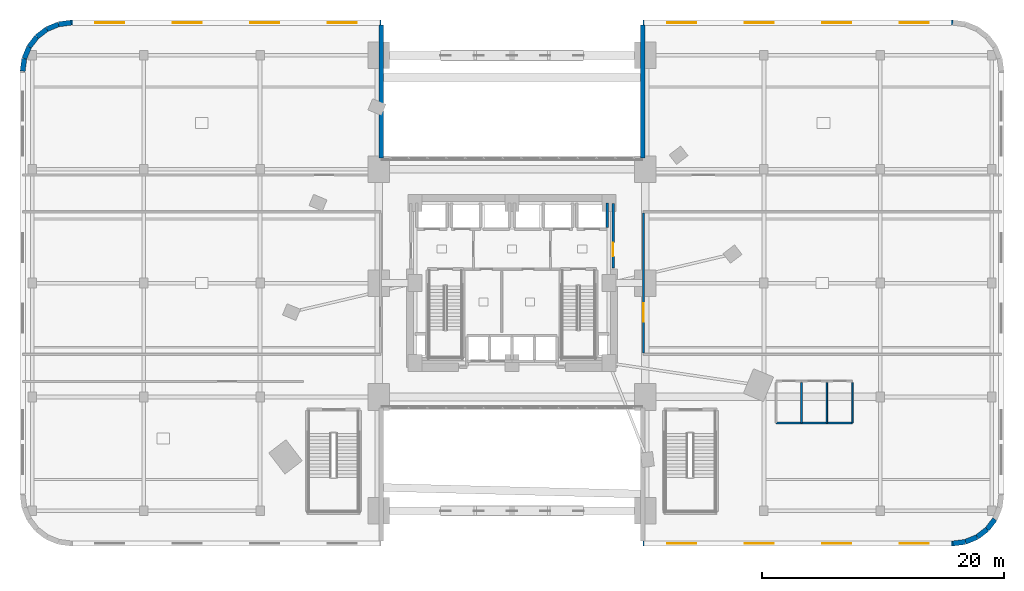
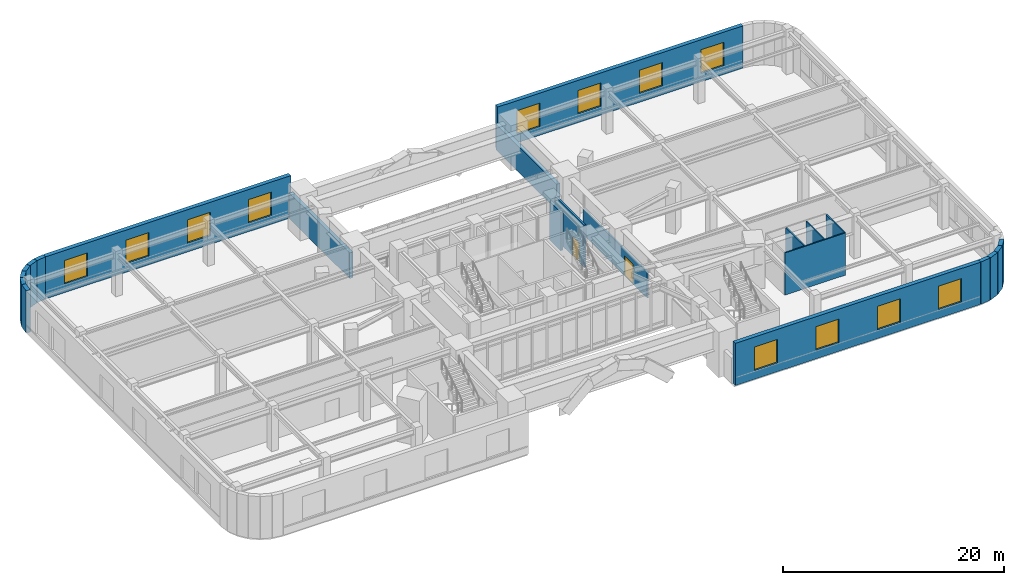
# One storey, part 21 of 25: 22 walls, 12 windows, 2 doors, 14 openings.
"""IFC4 building model written with IfcOpenShell, lengths in metres."""

from ifc_helpers import new_model, si_unit, direction, frame, frame_2d, origin, place, context, subcontext, project, spatial, rectangle, extrude, material, layer, layer_set, type_object, element, fill, save


model = new_model("IFC4")

# Units and contexts
model_context = context("Model", 3, precision=1e-05, world=origin(), true_north=direction((0.0, 1.0)))
body_context = subcontext(model_context, "Body", "Model", "MODEL_VIEW")
ifc_project = project(units=[si_unit("LENGTHUNIT", "METRE"), si_unit("AREAUNIT", "SQUARE_METRE"), si_unit("VOLUMEUNIT", "CUBIC_METRE"), si_unit("PLANEANGLEUNIT", "RADIAN"), si_unit("MASSUNIT", "GRAM", prefix="KILO")], contexts=[model_context])

# Site, building, storey
site_placement = place(None, origin())
site = spatial("IfcSite", under=ifc_project, at=site_placement, CompositionType="ELEMENT")
building_placement = place(site_placement, origin())
building = spatial("IfcBuilding", under=site, at=building_placement, Name="Ndelora Gate Hotel", CompositionType="ELEMENT")
storey_placement = place(building_placement, frame((0.0, 0.0, 11.0)))
storey = spatial("IfcBuildingStorey", under=building, at=storey_placement, Name="L02", CompositionType="ELEMENT", Elevation=11.0)

# Walls
ifc_material_1 = material(Name="Clay Brick Masonry", Category="masonry")
ifc_layer_1 = layer(ifc_material_1, 0.360107421875)
ifc_layer_set_1 = layer_set([ifc_layer_1], Name="Clay Brick Masonry")
wall_type_1 = type_object("IfcWallType", Name="WL-BRICK-360", PredefinedType="SOLIDWALL", material=ifc_layer_set_1)
for number, where, z_axis, x_axis, name in (
    (1, (-10.800048828125, 10.320068359375, 0.0), (0.0, 0.0, 1.0), (0.0, 1.0, 0.0), "L02 Portal Arch Brick Return Wall NW-RET"),
    (2, (10.800048828125, 21.2900390625, 0.0), (0.0, 0.0, 1.0), (0.0, -1.0, 0.0), "L02 Portal Arch Brick Return Wall NE-RET"),
):
    element("IfcWall", number, at=place(storey_placement, frame(where, z_axis=z_axis, x_axis=x_axis)), inside=storey, type_object=wall_type_1, Name=name, PredefinedType="SOLIDWALL", context=body_context, shape_type="SweptSolid", body=[
        extrude(rectangle(XDim=10.969970703125, YDim=0.360107421875, at=frame_2d((5.48486328125, 0.0))), origin(), (0.0, 0.0, 1.0), 2.840087890625),
    ])
ifc_layer_2 = layer(ifc_material_1, 0.419921875)
ifc_layer_set_2 = layer_set([ifc_layer_2], Name="Clay Brick Masonry")
wall_type_2 = type_object("IfcWallType", Name="WL-BRICK-420", PredefinedType="SOLIDWALL", material=ifc_layer_set_2)
wall_1_placement = place(storey_placement, frame((37.435302734375, -21.36376953125, 0.0), z_axis=(0.0, 0.0, 1.0), x_axis=(-0.991455091231, -0.130448465198, 0.0)))
element("IfcWall", 3, at=wall_1_placement, inside=storey, type_object=wall_type_2, Name="L02 Exterior Brick Pier-and-Spandrel Wall 1", PredefinedType="SOLIDWALL", context=body_context, shape_type="SweptSolid", body=[
    extrude(rectangle(XDim=1.04443359375, YDim=0.419921875, at=frame_2d((0.522216796875, 0.0))), origin(), (0.0, 0.0, 1.0), 4.659912109375),
])
wall_2_placement = place(storey_placement, frame((38.39990234375, -20.964111328125, 0.0), z_axis=(0.0, 0.0, 1.0), x_axis=(-0.923842970528, -0.382771688877, 0.0)))
element("IfcWall", 4, at=wall_2_placement, inside=storey, type_object=wall_type_2, Name="L02 Exterior Brick Pier-and-Spandrel Wall 2", PredefinedType="SOLIDWALL", context=body_context, shape_type="SweptSolid", body=[
    extrude(rectangle(XDim=1.044189453125, YDim=0.419921875, at=frame_2d((0.52197265625, 0.0))), origin(), (0.0, 0.0, 1.0), 4.659912109375),
])
wall_3_placement = place(storey_placement, frame((39.228515625, -20.328369140625, 0.0), z_axis=(0.0, 0.0, 1.0), x_axis=(-0.793388088797, -0.608716141198, 0.0)))
element("IfcWall", 5, at=wall_3_placement, inside=storey, type_object=wall_type_2, Name="L02 Exterior Brick Pier-and-Spandrel Wall 3", PredefinedType="SOLIDWALL", context=body_context, shape_type="SweptSolid", body=[
    extrude(rectangle(XDim=1.04443359375, YDim=0.419921875, at=frame_2d((0.522216796875, 0.0))), origin(), (0.0, 0.0, 1.0), 4.659912109375),
])
wall_4_placement = place(storey_placement, frame((39.864013671875, -19.5, 0.0), z_axis=(0.0, 0.0, 1.0), x_axis=(-0.608681879412, -0.793414374508, 0.0)))
element("IfcWall", 6, at=wall_4_placement, inside=storey, type_object=wall_type_2, Name="L02 Exterior Brick Pier-and-Spandrel Wall 4", PredefinedType="SOLIDWALL", context=body_context, shape_type="SweptSolid", body=[
    extrude(rectangle(XDim=1.0439453125, YDim=0.419921875, at=frame_2d((0.52197265625, 0.0))), origin(), (0.0, 0.0, 1.0), 4.659912109375),
])

# Wall, openings, windows
wall_5_placement = place(storey_placement, frame((-36.39990234375, 21.5, 0.0), z_axis=(0.0, 0.0, 1.0), x_axis=(1.0, 0.0, 0.0)))
wall_5 = element("IfcWall", 7, at=wall_5_placement, inside=storey, type_object=wall_type_2, Name="L02 Exterior Brick Pier-and-Spandrel Wall 14", PredefinedType="SOLIDWALL", context=body_context, shape_type="SweptSolid", body=[
    extrude(rectangle(XDim=25.599853515625, YDim=0.419921875, at=frame_2d((12.7998046875, 0.0))), origin(), (0.0, 0.0, 1.0), 4.659912109375),
])
opening_1_placement = place(wall_5_placement, frame((2.0, 0.0, 0.949951171875)))
opening_1 = element("IfcOpeningElement", 8, at=opening_1_placement, cuts=wall_5, Name="Opening W04", PredefinedType="OPENING", context=body_context, shape_type="SweptSolid", body=[
    extrude(rectangle(XDim=2.39990234375, YDim=2.60009765625, at=frame_2d((1.199951171875, 1.300048828125))), frame((0.0, 0.219970703125, 0.0), z_axis=(0.0, -1.0, 0.0), x_axis=(1.0, 0.0, 0.0)), (0.0, 0.0, 1.0), 0.43994140625),
])
opening_2_placement = place(wall_5_placement, frame((8.39990234375, 0.0, 0.949951171875)))
opening_2 = element("IfcOpeningElement", 9, at=opening_2_placement, cuts=wall_5, Name="Opening W04", PredefinedType="OPENING", context=body_context, shape_type="SweptSolid", body=[
    extrude(rectangle(XDim=2.39990234375, YDim=2.60009765625, at=frame_2d((1.199951171875, 1.300048828125))), frame((0.0, 0.219970703125, 0.0), z_axis=(0.0, -1.0, 0.0), x_axis=(1.0, 0.0, 0.0)), (0.0, 0.0, 1.0), 0.43994140625),
])
opening_3_placement = place(wall_5_placement, frame((14.800048828125, 0.0, 0.949951171875)))
opening_3 = element("IfcOpeningElement", 10, at=opening_3_placement, cuts=wall_5, Name="Opening W04", PredefinedType="OPENING", context=body_context, shape_type="SweptSolid", body=[
    extrude(rectangle(XDim=2.39990234375, YDim=2.60009765625, at=frame_2d((1.199951171875, 1.300048828125))), frame((0.0, 0.219970703125, 0.0), z_axis=(0.0, -1.0, 0.0), x_axis=(1.0, 0.0, 0.0)), (0.0, 0.0, 1.0), 0.43994140625),
])
opening_4_placement = place(wall_5_placement, frame((21.199951171875, 0.0, 0.949951171875)))
opening_4 = element("IfcOpeningElement", 11, at=opening_4_placement, cuts=wall_5, Name="Opening W04", PredefinedType="OPENING", context=body_context, shape_type="SweptSolid", body=[
    extrude(rectangle(XDim=2.39990234375, YDim=2.60009765625, at=frame_2d((1.199951171875, 1.300048828125))), frame((0.0, 0.219970703125, 0.0), z_axis=(0.0, -1.0, 0.0), x_axis=(1.0, 0.0, 0.0)), (0.0, 0.0, 1.0), 0.43994140625),
])
ifc_material_2 = material(Name="Insulated Low-E Double Glazing in Bronze Aluminium Frame", Category="aluminium")
window_type = type_object("IfcWindowType", Name="WN-POD-2400", PartitioningType="SINGLE_PANEL", PredefinedType="WINDOW", material=ifc_material_2)
window_1_placement = place(opening_1_placement, origin())
window_1 = element("IfcWindow", 12, at=window_1_placement, inside=storey, type_object=window_type, Name="L02 Deep-Set Podium Brick-Frame Window W04", OverallHeight=2.60009765625, OverallWidth=2.39990234375, PartitioningType="SINGLE_PANEL", PredefinedType="WINDOW", context=body_context, shape_type="SweptSolid", body=[
    extrude(rectangle(XDim=2.39990234375, YDim=2.60009765625, at=frame_2d((1.199951171875, 1.300048828125))), frame((0.0, 0.030029296875, 0.0), z_axis=(0.0, -1.0, 0.0), x_axis=(1.0, 0.0, 0.0)), (0.0, 0.0, 1.0), 0.06005859375),
])
fill(opening_1, window_1)
window_2_placement = place(opening_2_placement, origin())
window_2 = element("IfcWindow", 13, at=window_2_placement, inside=storey, type_object=window_type, Name="L02 Deep-Set Podium Brick-Frame Window W04", OverallHeight=2.60009765625, OverallWidth=2.39990234375, PartitioningType="SINGLE_PANEL", PredefinedType="WINDOW", context=body_context, shape_type="SweptSolid", body=[
    extrude(rectangle(XDim=2.39990234375, YDim=2.60009765625, at=frame_2d((1.199951171875, 1.300048828125))), frame((0.0, 0.030029296875, 0.0), z_axis=(0.0, -1.0, 0.0), x_axis=(1.0, 0.0, 0.0)), (0.0, 0.0, 1.0), 0.06005859375),
])
fill(opening_2, window_2)
window_3_placement = place(opening_3_placement, origin())
window_3 = element("IfcWindow", 14, at=window_3_placement, inside=storey, type_object=window_type, Name="L02 Deep-Set Podium Brick-Frame Window W04", OverallHeight=2.60009765625, OverallWidth=2.39990234375, PartitioningType="SINGLE_PANEL", PredefinedType="WINDOW", context=body_context, shape_type="SweptSolid", body=[
    extrude(rectangle(XDim=2.39990234375, YDim=2.60009765625, at=frame_2d((1.199951171875, 1.300048828125))), frame((0.0, 0.030029296875, 0.0), z_axis=(0.0, -1.0, 0.0), x_axis=(1.0, 0.0, 0.0)), (0.0, 0.0, 1.0), 0.06005859375),
])
fill(opening_3, window_3)
window_4_placement = place(opening_4_placement, origin())
window_4 = element("IfcWindow", 15, at=window_4_placement, inside=storey, type_object=window_type, Name="L02 Deep-Set Podium Brick-Frame Window W04", OverallHeight=2.60009765625, OverallWidth=2.39990234375, PartitioningType="SINGLE_PANEL", PredefinedType="WINDOW", context=body_context, shape_type="SweptSolid", body=[
    extrude(rectangle(XDim=2.39990234375, YDim=2.60009765625, at=frame_2d((1.199951171875, 1.300048828125))), frame((0.0, 0.030029296875, 0.0), z_axis=(0.0, -1.0, 0.0), x_axis=(1.0, 0.0, 0.0)), (0.0, 0.0, 1.0), 0.06005859375),
])
fill(opening_4, window_4)

wall_6_placement = place(storey_placement, frame((10.800048828125, 21.5, 0.0), z_axis=(0.0, 0.0, 1.0), x_axis=(1.0, 0.0, 0.0)))
wall_6 = element("IfcWall", 16, at=wall_6_placement, inside=storey, type_object=wall_type_2, Name="L02 Exterior Brick Pier-and-Spandrel Wall 15", PredefinedType="SOLIDWALL", context=body_context, shape_type="SweptSolid", body=[
    extrude(rectangle(XDim=25.599853515625, YDim=0.419921875, at=frame_2d((12.7998046875, 0.0))), origin(), (0.0, 0.0, 1.0), 4.659912109375),
])
opening_5_placement = place(wall_6_placement, frame((2.0, 0.0, 0.949951171875)))
opening_5 = element("IfcOpeningElement", 17, at=opening_5_placement, cuts=wall_6, Name="Opening W04", PredefinedType="OPENING", context=body_context, shape_type="SweptSolid", body=[
    extrude(rectangle(XDim=2.39990234375, YDim=2.60009765625, at=frame_2d((1.199951171875, 1.300048828125))), frame((0.0, 0.219970703125, 0.0), z_axis=(0.0, -1.0, 0.0), x_axis=(1.0, 0.0, 0.0)), (0.0, 0.0, 1.0), 0.43994140625),
])
opening_6_placement = place(wall_6_placement, frame((8.39990234375, 0.0, 0.949951171875)))
opening_6 = element("IfcOpeningElement", 18, at=opening_6_placement, cuts=wall_6, Name="Opening W04", PredefinedType="OPENING", context=body_context, shape_type="SweptSolid", body=[
    extrude(rectangle(XDim=2.39990234375, YDim=2.60009765625, at=frame_2d((1.199951171875, 1.300048828125))), frame((0.0, 0.219970703125, 0.0), z_axis=(0.0, -1.0, 0.0), x_axis=(1.0, 0.0, 0.0)), (0.0, 0.0, 1.0), 0.43994140625),
])
opening_7_placement = place(wall_6_placement, frame((14.800048828125, 0.0, 0.949951171875)))
opening_7 = element("IfcOpeningElement", 19, at=opening_7_placement, cuts=wall_6, Name="Opening W04", PredefinedType="OPENING", context=body_context, shape_type="SweptSolid", body=[
    extrude(rectangle(XDim=2.39990234375, YDim=2.60009765625, at=frame_2d((1.199951171875, 1.300048828125))), frame((0.0, 0.219970703125, 0.0), z_axis=(0.0, -1.0, 0.0), x_axis=(1.0, 0.0, 0.0)), (0.0, 0.0, 1.0), 0.43994140625),
])
opening_8_placement = place(wall_6_placement, frame((21.199951171875, 0.0, 0.949951171875)))
opening_8 = element("IfcOpeningElement", 20, at=opening_8_placement, cuts=wall_6, Name="Opening W04", PredefinedType="OPENING", context=body_context, shape_type="SweptSolid", body=[
    extrude(rectangle(XDim=2.39990234375, YDim=2.60009765625, at=frame_2d((1.199951171875, 1.300048828125))), frame((0.0, 0.219970703125, 0.0), z_axis=(0.0, -1.0, 0.0), x_axis=(1.0, 0.0, 0.0)), (0.0, 0.0, 1.0), 0.43994140625),
])
window_5_placement = place(opening_5_placement, origin())
window_5 = element("IfcWindow", 21, at=window_5_placement, inside=storey, type_object=window_type, Name="L02 Deep-Set Podium Brick-Frame Window W04", OverallHeight=2.60009765625, OverallWidth=2.39990234375, PartitioningType="SINGLE_PANEL", PredefinedType="WINDOW", context=body_context, shape_type="SweptSolid", body=[
    extrude(rectangle(XDim=2.39990234375, YDim=2.60009765625, at=frame_2d((1.199951171875, 1.300048828125))), frame((0.0, 0.030029296875, 0.0), z_axis=(0.0, -1.0, 0.0), x_axis=(1.0, 0.0, 0.0)), (0.0, 0.0, 1.0), 0.06005859375),
])
fill(opening_5, window_5)
window_6_placement = place(opening_6_placement, origin())
window_6 = element("IfcWindow", 22, at=window_6_placement, inside=storey, type_object=window_type, Name="L02 Deep-Set Podium Brick-Frame Window W04", OverallHeight=2.60009765625, OverallWidth=2.39990234375, PartitioningType="SINGLE_PANEL", PredefinedType="WINDOW", context=body_context, shape_type="SweptSolid", body=[
    extrude(rectangle(XDim=2.39990234375, YDim=2.60009765625, at=frame_2d((1.199951171875, 1.300048828125))), frame((0.0, 0.030029296875, 0.0), z_axis=(0.0, -1.0, 0.0), x_axis=(1.0, 0.0, 0.0)), (0.0, 0.0, 1.0), 0.06005859375),
])
fill(opening_6, window_6)
window_7_placement = place(opening_7_placement, origin())
window_7 = element("IfcWindow", 23, at=window_7_placement, inside=storey, type_object=window_type, Name="L02 Deep-Set Podium Brick-Frame Window W04", OverallHeight=2.60009765625, OverallWidth=2.39990234375, PartitioningType="SINGLE_PANEL", PredefinedType="WINDOW", context=body_context, shape_type="SweptSolid", body=[
    extrude(rectangle(XDim=2.39990234375, YDim=2.60009765625, at=frame_2d((1.199951171875, 1.300048828125))), frame((0.0, 0.030029296875, 0.0), z_axis=(0.0, -1.0, 0.0), x_axis=(1.0, 0.0, 0.0)), (0.0, 0.0, 1.0), 0.06005859375),
])
fill(opening_7, window_7)
window_8_placement = place(opening_8_placement, origin())
window_8 = element("IfcWindow", 24, at=window_8_placement, inside=storey, type_object=window_type, Name="L02 Deep-Set Podium Brick-Frame Window W04", OverallHeight=2.60009765625, OverallWidth=2.39990234375, PartitioningType="SINGLE_PANEL", PredefinedType="WINDOW", context=body_context, shape_type="SweptSolid", body=[
    extrude(rectangle(XDim=2.39990234375, YDim=2.60009765625, at=frame_2d((1.199951171875, 1.300048828125))), frame((0.0, 0.030029296875, 0.0), z_axis=(0.0, -1.0, 0.0), x_axis=(1.0, 0.0, 0.0)), (0.0, 0.0, 1.0), 0.06005859375),
])
fill(opening_8, window_8)

# Walls
wall_7_placement = place(storey_placement, frame((-37.435302734375, 21.36376953125, 0.0), z_axis=(0.0, 0.0, 1.0), x_axis=(0.991455091231, 0.130448465198, 0.0)))
element("IfcWall", 25, at=wall_7_placement, inside=storey, type_object=wall_type_2, Name="L02 Exterior Brick Pier-and-Spandrel Wall 16", PredefinedType="SOLIDWALL", context=body_context, shape_type="SweptSolid", body=[
    extrude(rectangle(XDim=1.04443359375, YDim=0.419921875, at=frame_2d((0.522216796875, 0.0))), origin(), (0.0, 0.0, 1.0), 4.659912109375),
])
wall_8_placement = place(storey_placement, frame((-38.39990234375, 20.964111328125, 0.0), z_axis=(0.0, 0.0, 1.0), x_axis=(0.923842970528, 0.382771688877, 0.0)))
element("IfcWall", 26, at=wall_8_placement, inside=storey, type_object=wall_type_2, Name="L02 Exterior Brick Pier-and-Spandrel Wall 17", PredefinedType="SOLIDWALL", context=body_context, shape_type="SweptSolid", body=[
    extrude(rectangle(XDim=1.044189453125, YDim=0.419921875, at=frame_2d((0.52197265625, 0.0))), origin(), (0.0, 0.0, 1.0), 4.659912109375),
])
wall_9_placement = place(storey_placement, frame((-39.228515625, 20.328369140625, 0.0), z_axis=(0.0, 0.0, 1.0), x_axis=(0.793388088797, 0.608716141198, 0.0)))
element("IfcWall", 27, at=wall_9_placement, inside=storey, type_object=wall_type_2, Name="L02 Exterior Brick Pier-and-Spandrel Wall 18", PredefinedType="SOLIDWALL", context=body_context, shape_type="SweptSolid", body=[
    extrude(rectangle(XDim=1.04443359375, YDim=0.419921875, at=frame_2d((0.522216796875, 0.0))), origin(), (0.0, 0.0, 1.0), 4.659912109375),
])
wall_10_placement = place(storey_placement, frame((-39.864013671875, 19.5, 0.0), z_axis=(0.0, 0.0, 1.0), x_axis=(0.608681879412, 0.793414374508, 0.0)))
element("IfcWall", 28, at=wall_10_placement, inside=storey, type_object=wall_type_2, Name="L02 Exterior Brick Pier-and-Spandrel Wall 19", PredefinedType="SOLIDWALL", context=body_context, shape_type="SweptSolid", body=[
    extrude(rectangle(XDim=1.0439453125, YDim=0.419921875, at=frame_2d((0.52197265625, 0.0))), origin(), (0.0, 0.0, 1.0), 4.659912109375),
])
wall_11_placement = place(storey_placement, frame((-40.263671875, 18.535400390625, 0.0), z_axis=(0.0, 0.0, 1.0), x_axis=(0.382771688877, 0.923842970528, 0.0)))
element("IfcWall", 29, at=wall_11_placement, inside=storey, type_object=wall_type_2, Name="L02 Exterior Brick Pier-and-Spandrel Wall 20", PredefinedType="SOLIDWALL", context=body_context, shape_type="SweptSolid", body=[
    extrude(rectangle(XDim=1.044189453125, YDim=0.419921875, at=frame_2d((0.52197265625, 0.0))), origin(), (0.0, 0.0, 1.0), 4.659912109375),
])
wall_12_placement = place(storey_placement, frame((-40.39990234375, 17.5, 0.0), z_axis=(0.0, 0.0, 1.0), x_axis=(0.130448465198, 0.991455091231, 0.0)))
element("IfcWall", 30, at=wall_12_placement, inside=storey, type_object=wall_type_2, Name="L02 Exterior Brick Pier-and-Spandrel Wall 21", PredefinedType="SOLIDWALL", context=body_context, shape_type="SweptSolid", body=[
    extrude(rectangle(XDim=1.04443359375, YDim=0.419921875, at=frame_2d((0.522216796875, 0.0))), origin(), (0.0, 0.0, 1.0), 4.659912109375),
])

# Wall, openings, windows
wall_13_placement = place(storey_placement, frame((36.39990234375, -21.5, 0.0), z_axis=(0.0, 0.0, 1.0), x_axis=(-1.0, 0.0, 0.0)))
wall_13 = element("IfcWall", 31, at=wall_13_placement, inside=storey, type_object=wall_type_2, Name="L02 Exterior Brick Pier-and-Spandrel Wall 30", PredefinedType="SOLIDWALL", context=body_context, shape_type="SweptSolid", body=[
    extrude(rectangle(XDim=25.599853515625, YDim=0.419921875, at=frame_2d((12.7998046875, 0.0))), origin(), (0.0, 0.0, 1.0), 4.659912109375),
])
opening_9_placement = place(wall_13_placement, frame((2.0, 0.0, 0.949951171875)))
opening_9 = element("IfcOpeningElement", 32, at=opening_9_placement, cuts=wall_13, Name="Opening W04", PredefinedType="OPENING", context=body_context, shape_type="SweptSolid", body=[
    extrude(rectangle(XDim=2.39990234375, YDim=2.60009765625, at=frame_2d((1.199951171875, 1.300048828125))), frame((0.0, 0.219970703125, 0.0), z_axis=(0.0, -1.0, 0.0), x_axis=(1.0, 0.0, 0.0)), (0.0, 0.0, 1.0), 0.43994140625),
])
opening_10_placement = place(wall_13_placement, frame((8.39990234375, 0.0, 0.949951171875)))
opening_10 = element("IfcOpeningElement", 33, at=opening_10_placement, cuts=wall_13, Name="Opening W04", PredefinedType="OPENING", context=body_context, shape_type="SweptSolid", body=[
    extrude(rectangle(XDim=2.39990234375, YDim=2.60009765625, at=frame_2d((1.199951171875, 1.300048828125))), frame((0.0, 0.219970703125, 0.0), z_axis=(0.0, -1.0, 0.0), x_axis=(1.0, 0.0, 0.0)), (0.0, 0.0, 1.0), 0.43994140625),
])
opening_11_placement = place(wall_13_placement, frame((14.800048828125, 0.0, 0.949951171875)))
opening_11 = element("IfcOpeningElement", 34, at=opening_11_placement, cuts=wall_13, Name="Opening W04", PredefinedType="OPENING", context=body_context, shape_type="SweptSolid", body=[
    extrude(rectangle(XDim=2.39990234375, YDim=2.60009765625, at=frame_2d((1.199951171875, 1.300048828125))), frame((0.0, 0.219970703125, 0.0), z_axis=(0.0, -1.0, 0.0), x_axis=(1.0, 0.0, 0.0)), (0.0, 0.0, 1.0), 0.43994140625),
])
opening_12_placement = place(wall_13_placement, frame((21.199951171875, 0.0, 0.949951171875)))
opening_12 = element("IfcOpeningElement", 35, at=opening_12_placement, cuts=wall_13, Name="Opening W04", PredefinedType="OPENING", context=body_context, shape_type="SweptSolid", body=[
    extrude(rectangle(XDim=2.39990234375, YDim=2.60009765625, at=frame_2d((1.199951171875, 1.300048828125))), frame((0.0, 0.219970703125, 0.0), z_axis=(0.0, -1.0, 0.0), x_axis=(1.0, 0.0, 0.0)), (0.0, 0.0, 1.0), 0.43994140625),
])
window_9_placement = place(opening_9_placement, origin())
window_9 = element("IfcWindow", 36, at=window_9_placement, inside=storey, type_object=window_type, Name="L02 Deep-Set Podium Brick-Frame Window W04", OverallHeight=2.60009765625, OverallWidth=2.39990234375, PartitioningType="SINGLE_PANEL", PredefinedType="WINDOW", context=body_context, shape_type="SweptSolid", body=[
    extrude(rectangle(XDim=2.39990234375, YDim=2.60009765625, at=frame_2d((1.199951171875, 1.300048828125))), frame((0.0, 0.030029296875, 0.0), z_axis=(0.0, -1.0, 0.0), x_axis=(1.0, 0.0, 0.0)), (0.0, 0.0, 1.0), 0.06005859375),
])
fill(opening_9, window_9)
window_10_placement = place(opening_10_placement, origin())
window_10 = element("IfcWindow", 37, at=window_10_placement, inside=storey, type_object=window_type, Name="L02 Deep-Set Podium Brick-Frame Window W04", OverallHeight=2.60009765625, OverallWidth=2.39990234375, PartitioningType="SINGLE_PANEL", PredefinedType="WINDOW", context=body_context, shape_type="SweptSolid", body=[
    extrude(rectangle(XDim=2.39990234375, YDim=2.60009765625, at=frame_2d((1.199951171875, 1.300048828125))), frame((0.0, 0.030029296875, 0.0), z_axis=(0.0, -1.0, 0.0), x_axis=(1.0, 0.0, 0.0)), (0.0, 0.0, 1.0), 0.06005859375),
])
fill(opening_10, window_10)
window_11_placement = place(opening_11_placement, origin())
window_11 = element("IfcWindow", 38, at=window_11_placement, inside=storey, type_object=window_type, Name="L02 Deep-Set Podium Brick-Frame Window W04", OverallHeight=2.60009765625, OverallWidth=2.39990234375, PartitioningType="SINGLE_PANEL", PredefinedType="WINDOW", context=body_context, shape_type="SweptSolid", body=[
    extrude(rectangle(XDim=2.39990234375, YDim=2.60009765625, at=frame_2d((1.199951171875, 1.300048828125))), frame((0.0, 0.030029296875, 0.0), z_axis=(0.0, -1.0, 0.0), x_axis=(1.0, 0.0, 0.0)), (0.0, 0.0, 1.0), 0.06005859375),
])
fill(opening_11, window_11)
window_12_placement = place(opening_12_placement, origin())
window_12 = element("IfcWindow", 39, at=window_12_placement, inside=storey, type_object=window_type, Name="L02 Deep-Set Podium Brick-Frame Window W04", OverallHeight=2.60009765625, OverallWidth=2.39990234375, PartitioningType="SINGLE_PANEL", PredefinedType="WINDOW", context=body_context, shape_type="SweptSolid", body=[
    extrude(rectangle(XDim=2.39990234375, YDim=2.60009765625, at=frame_2d((1.199951171875, 1.300048828125))), frame((0.0, 0.030029296875, 0.0), z_axis=(0.0, -1.0, 0.0), x_axis=(1.0, 0.0, 0.0)), (0.0, 0.0, 1.0), 0.06005859375),
])
fill(opening_12, window_12)

# Wall, opening, door
ifc_material_3 = material(Name="Concrete C40/50", Category="concrete")
ifc_layer_3 = layer(ifc_material_3, 0.199951171875)
ifc_layer_set_3 = layer_set([ifc_layer_3], Name="Concrete C40/50")
wall_type_3 = type_object("IfcWallType", Name="WL-FIRE-200", PredefinedType="PARTITIONING", material=ifc_layer_set_3)
wall_14_placement = place(storey_placement, frame((8.35009765625, 1.25, 0.0), z_axis=(0.0, 0.0, 1.0), x_axis=(0.0, 1.0, 0.0)))
wall_14 = element("IfcWall", 40, at=wall_14_placement, inside=storey, type_object=wall_type_3, Name="L02 Interior Wall IW-2", PredefinedType="PARTITIONING", context=body_context, shape_type="SweptSolid", body=[
    extrude(rectangle(XDim=5.300048828125, YDim=0.199951171875, at=frame_2d((2.64990234375, 0.0))), origin(), (0.0, 0.0, 1.0), 4.659912109375),
])
opening_13_placement = place(wall_14_placement, frame((0.949951171875, 0.0, 0.0)))
opening_13 = element("IfcOpeningElement", 41, at=opening_13_placement, cuts=wall_14, Name="Opening FD1", PredefinedType="OPENING", context=body_context, shape_type="SweptSolid", body=[
    extrude(rectangle(XDim=1.14990234375, YDim=2.14990234375, at=frame_2d((0.574951171875, 1.074951171875))), frame((0.0, 0.10986328125, 0.0), z_axis=(0.0, -1.0, 0.0), x_axis=(1.0, 0.0, 0.0)), (0.0, 0.0, 1.0), 0.219970703125),
])
ifc_material_4 = material(Name="Fire-Rated Timber-Veneer Steel Core", Category="steel")
door_type_1 = type_object("IfcDoorType", Name="DR-FD60", OperationType="SINGLE_SWING_LEFT", PredefinedType="DOOR", material=ifc_material_4)
door_1_placement = place(opening_13_placement, origin())
door_1 = element("IfcDoor", 42, at=door_1_placement, inside=storey, type_object=door_type_1, Name="L02 Firefighting Lobby East Corridor Door", OperationType="SINGLE_SWING_RIGHT", OverallHeight=2.14990234375, OverallWidth=1.14990234375, PredefinedType="DOOR", context=body_context, shape_type="SweptSolid", body=[
    extrude(rectangle(XDim=1.14990234375, YDim=2.14990234375, at=frame_2d((0.574951171875, 1.074951171875))), frame((0.0, 0.02490234375, 0.0), z_axis=(0.0, -1.0, 0.0), x_axis=(1.0, 0.0, 0.0)), (0.0, 0.0, 1.0), 0.050048828125),
])
fill(opening_13, door_1)

ifc_material_5 = material(Name="Fire-Rated Gypsum Stud Partition", Category="gypsum")
ifc_layer_4 = layer(ifc_material_5, 0.159912109375)
ifc_layer_set_4 = layer_set([ifc_layer_4], Name="Fire-Rated Gypsum Stud Partition")
wall_type_4 = type_object("IfcWallType", Name="WL-PART-160", PredefinedType="PARTITIONING", material=ifc_layer_set_4)
wall_15_placement = place(storey_placement, frame((10.85009765625, 5.780029296875, 0.0), z_axis=(0.0, 0.0, 1.0), x_axis=(0.0, -1.0, 0.0)))
wall_15 = element("IfcWall", 43, at=wall_15_placement, inside=storey, type_object=wall_type_4, Name="L02 Interior Wall IW-4", PredefinedType="PARTITIONING", context=body_context, shape_type="SweptSolid", body=[
    extrude(rectangle(XDim=11.56005859375, YDim=0.159912109375, at=frame_2d((5.780029296875, 0.0))), origin(), (0.0, 0.0, 1.0), 2.840087890625),
])
opening_14_placement = place(wall_15_placement, frame((7.4599609375, 0.0, 0.0)))
opening_14 = element("IfcOpeningElement", 44, at=opening_14_placement, cuts=wall_15, Name="Opening D06", PredefinedType="OPENING", context=body_context, shape_type="SweptSolid", body=[
    extrude(rectangle(XDim=1.5, YDim=2.199951171875, at=frame_2d((0.75, 1.10009765625))), frame((0.0, 0.08984375, 0.0), z_axis=(0.0, -1.0, 0.0), x_axis=(1.0, 0.0, 0.0)), (0.0, 0.0, 1.0), 0.179931640625),
])
ifc_material_6 = material(Name="Podium Salon Double Leaf Door", Category="wood")
door_type_2 = type_object("IfcDoorType", Name="DR-POD-1500", OperationType="DOUBLE_DOOR_SINGLE_SWING", PredefinedType="DOOR", material=ifc_material_6)
door_2_placement = place(opening_14_placement, origin())
door_2 = element("IfcDoor", 45, at=door_2_placement, inside=storey, type_object=door_type_2, Name="L02 Specialty Fine Dining Restaurant Door", OperationType="DOUBLE_DOOR_SINGLE_SWING", OverallHeight=2.199951171875, OverallWidth=1.5, PredefinedType="DOOR", context=body_context, shape_type="SweptSolid", body=[
    extrude(rectangle(XDim=1.5, YDim=2.199951171875, at=frame_2d((0.75, 1.10009765625))), frame((0.0, 0.02490234375, 0.0), z_axis=(0.0, -1.0, 0.0), x_axis=(1.0, 0.0, 0.0)), (0.0, 0.0, 1.0), 0.050048828125),
])
fill(opening_14, door_2)

# Walls
ifc_layer_5 = layer(ifc_material_3, 0.219970703125)
ifc_layer_set_5 = layer_set([ifc_layer_5], Name="Concrete C40/50")
wall_type_5 = type_object("IfcWallType", Name="WL-SHAFT-220", PredefinedType="PARTITIONING", material=ifc_layer_set_5)
wall_16_placement = place(storey_placement, frame((7.85009765625, 4.570068359375, 0.0), z_axis=(0.0, 0.0, 1.0), x_axis=(0.0, 1.0, 0.0)))
element("IfcWall", 46, at=wall_16_placement, inside=storey, type_object=wall_type_5, Name="L02 Interior Wall IW-1", PredefinedType="PARTITIONING", context=body_context, shape_type="SweptSolid", body=[
    extrude(rectangle(XDim=2.030029296875, YDim=0.219970703125, at=frame_2d((1.01513671875, 0.0))), origin(), (0.0, 0.0, 1.0), 4.239990234375),
])
ifc_material_7 = material(Name="Moisture-Resistant Fire-Rated Tile Partition", Category="gypsum")
ifc_layer_6 = layer(ifc_material_7, 0.1298828125)
ifc_layer_set_6 = layer_set([ifc_layer_6], Name="Moisture-Resistant Fire-Rated Tile Partition")
wall_type_6 = type_object("IfcWallType", Name="WL-WET-RATED", PredefinedType="PARTITIONING", material=ifc_layer_set_6)
for number, where, z_axis, x_axis, name in (
    (47, (23.89990234375, -11.550048828125, 0.0), (0.0, 0.0, 1.0), (0.0, 1.0, 0.0), "L02 Interior Wall IW-6"),
    (48, (26.0, -11.550048828125, 0.0), (0.0, 0.0, 1.0), (0.0, 1.0, 0.0), "L02 Interior Wall IW-6"),
    (49, (28.10009765625, -11.550048828125, 0.0), (0.0, 0.0, 1.0), (0.0, 1.0, 0.0), "L02 Interior Wall IW-6"),
):
    element("IfcWall", number, at=place(storey_placement, frame(where, z_axis=z_axis, x_axis=x_axis)), inside=storey, type_object=wall_type_6, Name=name, PredefinedType="PARTITIONING", context=body_context, shape_type="SweptSolid", body=[
        extrude(rectangle(XDim=3.340087890625, YDim=0.1298828125, at=frame_2d((1.669921875, 0.0))), origin(), (0.0, 0.0, 1.0), 4.659912109375),
    ])
wall_17_placement = place(storey_placement, frame((21.800048828125, -11.550048828125, 0.0), z_axis=(0.0, 0.0, 1.0), x_axis=(1.0, 0.0, 0.0)))
element("IfcWall", 50, at=wall_17_placement, inside=storey, type_object=wall_type_6, Name="L02 Interior Wall IW-6", PredefinedType="PARTITIONING", context=body_context, shape_type="SweptSolid", body=[
    extrude(rectangle(XDim=6.300048828125, YDim=0.1298828125, at=frame_2d((3.14990234375, 0.0))), origin(), (0.0, 0.0, 1.0), 4.659912109375),
])

save(model, "model.ifc")
